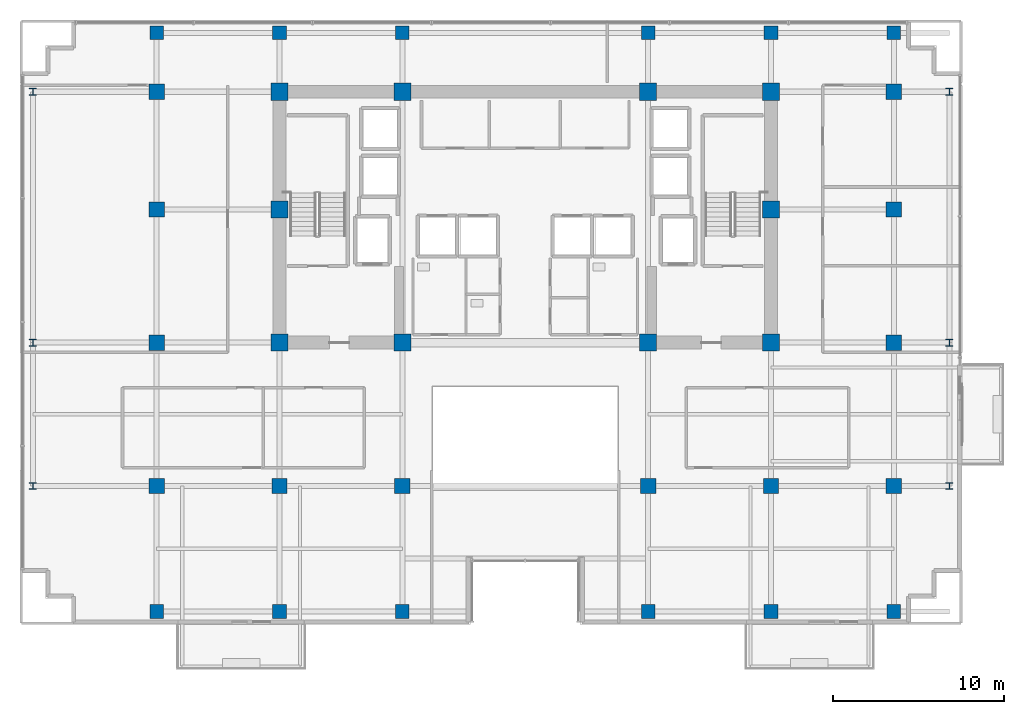
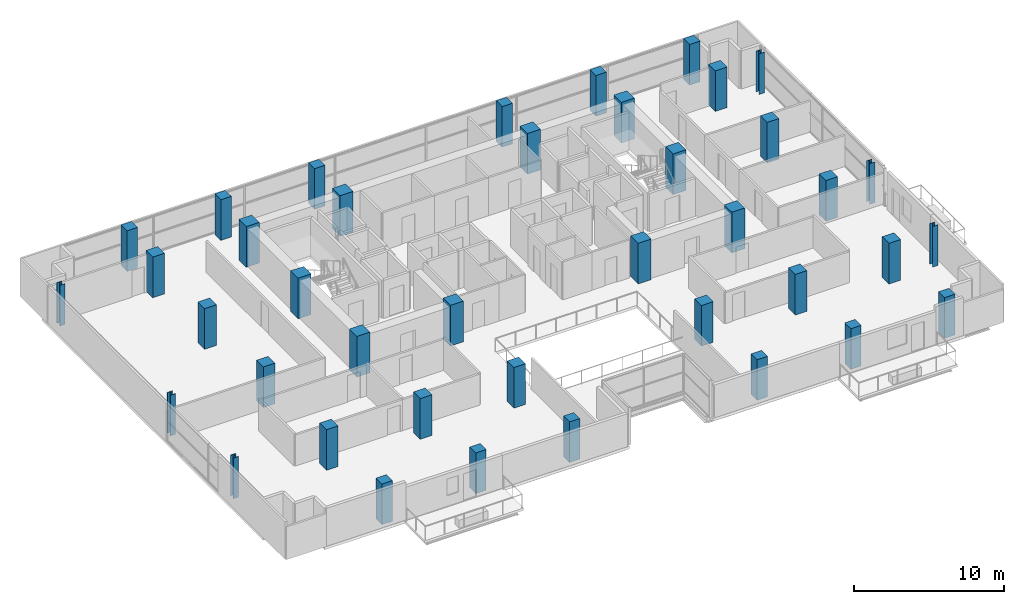
# One storey, part 1 of 25: 40 columns.
"""IFC4 building model written with IfcOpenShell, lengths in metres."""

from ifc_helpers import new_model, si_unit, direction, frame, origin, origin_2d, place, context, subcontext, project, spatial, rectangle, i_section, extrude, material, material_profile, profile_set, type_object, element, save


model = new_model("IFC4")

# Units and contexts
model_context = context("Model", 3, precision=1e-05, world=origin(), true_north=direction((0.0, 1.0)))
body_context = subcontext(model_context, "Body", "Model", "MODEL_VIEW")
ifc_project = project(units=[si_unit("LENGTHUNIT", "METRE"), si_unit("AREAUNIT", "SQUARE_METRE"), si_unit("VOLUMEUNIT", "CUBIC_METRE"), si_unit("PLANEANGLEUNIT", "RADIAN"), si_unit("MASSUNIT", "GRAM", prefix="KILO")], contexts=[model_context])

# Site, building, storey
site_placement = place(None, origin())
site = spatial("IfcSite", under=ifc_project, at=site_placement, CompositionType="ELEMENT")
building_placement = place(site_placement, origin())
building = spatial("IfcBuilding", under=site, at=building_placement, Name="Zarnakvel Exchange Tower", CompositionType="ELEMENT")
storey_placement = place(building_placement, frame((0.0, 0.0, 93.39990234375)))
storey = spatial("IfcBuildingStorey", under=building, at=storey_placement, Name="L25", CompositionType="ELEMENT", Elevation=93.39990234375)

# Columns
ifc_material_1 = material(Name="Concrete C60/75", Category="concrete")
ifc_material_profile_1 = material_profile(ifc_material_1, rectangle(XDim=1.0, YDim=1.0, at=origin_2d()))
ifc_profile_set_1 = profile_set([ifc_material_profile_1], Name="Concrete C60/75")
column_type_1 = type_object("IfcColumnType", Name="CC-02", PredefinedType="COLUMN", material=ifc_profile_set_1)
for number, where, z_axis, x_axis, name in (
    (1, (-14.39990234375, -1.199951171875, 0.0), (0.0, 0.0, 1.0), (1.0, 0.0, 0.0), "L25 Column C-4D (CC-02)"),
    (2, (-7.199951171875, -1.199951171875, 0.0), (0.0, 0.0, 1.0), (1.0, 0.0, 0.0), "L25 Column C-5D (CC-02)"),
    (3, (7.199951171875, -1.199951171875, 0.0), (0.0, 0.0, 1.0), (1.0, 0.0, 0.0), "L25 Column C-8D (CC-02)"),
    (4, (14.39990234375, -1.199951171875, 0.0), (0.0, 0.0, 1.0), (1.0, 0.0, 0.0), "L25 Column C-9D (CC-02)"),
    (5, (-14.39990234375, 6.60009765625, 0.0), (0.0, 0.0, 1.0), (1.0, 0.0, 0.0), "L25 Column C-4E (CC-02)"),
    (6, (14.39990234375, 6.60009765625, 0.0), (0.0, 0.0, 1.0), (1.0, 0.0, 0.0), "L25 Column C-9E (CC-02)"),
    (7, (-14.39990234375, 13.5, 0.0), (0.0, 0.0, 1.0), (1.0, 0.0, 0.0), "L25 Column C-4F (CC-02)"),
    (8, (-7.199951171875, 13.5, 0.0), (0.0, 0.0, 1.0), (1.0, 0.0, 0.0), "L25 Column C-5F (CC-02)"),
    (9, (7.199951171875, 13.5, 0.0), (0.0, 0.0, 1.0), (1.0, 0.0, 0.0), "L25 Column C-8F (CC-02)"),
    (10, (14.39990234375, 13.5, 0.0), (0.0, 0.0, 1.0), (1.0, 0.0, 0.0), "L25 Column C-9F (CC-02)"),
):
    element("IfcColumn", number, at=place(storey_placement, frame(where, z_axis=z_axis, x_axis=x_axis)), inside=storey, type_object=column_type_1, Name=name, PredefinedType="COLUMN", context=body_context, shape_type="SweptSolid", body=[
        extrude(rectangle(XDim=1.0, YDim=1.0, at=origin_2d()), origin(), (0.0, 0.0, 1.0), 3.300048828125),
    ])
ifc_material_2 = material(Name="Steel S355", Category="steel")
ifc_material_profile_2 = material_profile(ifc_material_2, i_section(OverallWidth=0.404052734375, OverallDepth=0.406982421875, WebThickness=0.0224609375, FlangeThickness=0.031982421875, FilletRadius=0.014892578125, at=origin_2d()))
ifc_profile_set_2 = profile_set([ifc_material_profile_2], Name="Steel S355")
column_type_2 = type_object("IfcColumnType", Name="SC-02", PredefinedType="COLUMN", material=ifc_profile_set_2)
for number, where, z_axis, x_axis, name in (
    (11, (-28.85009765625, -9.60009765625, 0.0), (0.0, 0.0, 1.0), (1.0, 0.0, 0.0), "L25 Column TW-C (SC-02)"),
    (12, (24.85009765625, -9.60009765625, 0.0), (0.0, 0.0, 1.0), (1.0, 0.0, 0.0), "L25 Column TE-C (SC-02)"),
    (13, (-28.85009765625, -1.199951171875, 0.0), (0.0, 0.0, 1.0), (1.0, 0.0, 0.0), "L25 Column TW-D (SC-02)"),
    (14, (24.85009765625, -1.199951171875, 0.0), (0.0, 0.0, 1.0), (1.0, 0.0, 0.0), "L25 Column TE-D (SC-02)"),
    (15, (-28.85009765625, 13.5, 0.0), (0.0, 0.0, 1.0), (1.0, 0.0, 0.0), "L25 Column TW-F (SC-02)"),
    (16, (24.85009765625, 13.5, 0.0), (0.0, 0.0, 1.0), (1.0, 0.0, 0.0), "L25 Column TE-F (SC-02)"),
):
    element("IfcColumn", number, at=place(storey_placement, frame(where, z_axis=z_axis, x_axis=x_axis)), inside=storey, type_object=column_type_2, Name=name, PredefinedType="COLUMN", context=body_context, shape_type="SweptSolid", body=[
        extrude(i_section(OverallWidth=0.404052734375, OverallDepth=0.406982421875, WebThickness=0.0224609375, FlangeThickness=0.031982421875, FilletRadius=0.014892578125, at=origin_2d()), origin(), (0.0, 0.0, 1.0), 3.300048828125),
    ])
ifc_material_profile_3 = material_profile(ifc_material_1, rectangle(XDim=0.89990234375, YDim=0.89990234375, at=origin_2d()))
ifc_profile_set_3 = profile_set([ifc_material_profile_3], Name="Concrete C60/75")
column_type_3 = type_object("IfcColumnType", Name="TC-02", PredefinedType="COLUMN", material=ifc_profile_set_3)
for number, where, z_axis, x_axis, name in (
    (17, (-14.39990234375, -9.60009765625, 0.0), (0.0, 0.0, 1.0), (1.0, 0.0, 0.0), "L25 Column T-4C (TC-02)"),
    (18, (-7.199951171875, -9.60009765625, 0.0), (0.0, 0.0, 1.0), (1.0, 0.0, 0.0), "L25 Column T-5C (TC-02)"),
    (19, (7.199951171875, -9.60009765625, 0.0), (0.0, 0.0, 1.0), (1.0, 0.0, 0.0), "L25 Column T-8C (TC-02)"),
    (20, (14.39990234375, -9.60009765625, 0.0), (0.0, 0.0, 1.0), (1.0, 0.0, 0.0), "L25 Column T-9C (TC-02)"),
    (21, (-21.60009765625, -9.60009765625, 0.0), (0.0, 0.0, 1.0), (1.0, 0.0, 0.0), "L25 Column T-3C (TC-02)"),
    (22, (-21.60009765625, -1.199951171875, 0.0), (0.0, 0.0, 1.0), (1.0, 0.0, 0.0), "L25 Column T-3D (TC-02)"),
    (23, (-21.60009765625, 6.60009765625, 0.0), (0.0, 0.0, 1.0), (1.0, 0.0, 0.0), "L25 Column T-3E (TC-02)"),
    (24, (-21.60009765625, 13.5, 0.0), (0.0, 0.0, 1.0), (1.0, 0.0, 0.0), "L25 Column T-3F (TC-02)"),
    (25, (21.60009765625, -9.60009765625, 0.0), (0.0, 0.0, 1.0), (1.0, 0.0, 0.0), "L25 Column T-10C (TC-02)"),
    (26, (21.60009765625, -1.199951171875, 0.0), (0.0, 0.0, 1.0), (1.0, 0.0, 0.0), "L25 Column T-10D (TC-02)"),
    (27, (21.60009765625, 6.60009765625, 0.0), (0.0, 0.0, 1.0), (1.0, 0.0, 0.0), "L25 Column T-10E (TC-02)"),
    (28, (21.60009765625, 13.5, 0.0), (0.0, 0.0, 1.0), (1.0, 0.0, 0.0), "L25 Column T-10F (TC-02)"),
):
    element("IfcColumn", number, at=place(storey_placement, frame(where, z_axis=z_axis, x_axis=x_axis)), inside=storey, type_object=column_type_3, Name=name, PredefinedType="COLUMN", context=body_context, shape_type="SweptSolid", body=[
        extrude(rectangle(XDim=0.89990234375, YDim=0.89990234375, at=origin_2d()), origin(), (0.0, 0.0, 1.0), 3.300048828125),
    ])
ifc_material_profile_4 = material_profile(ifc_material_1, rectangle(XDim=0.800048828125, YDim=0.800048828125, at=origin_2d()))
ifc_profile_set_4 = profile_set([ifc_material_profile_4], Name="Concrete C60/75")
column_type_4 = type_object("IfcColumnType", Name="TC-03", PredefinedType="COLUMN", material=ifc_profile_set_4)
for number, where, z_axis, x_axis, name in (
    (29, (-14.39990234375, -16.949951171875, 0.0), (0.0, 0.0, 1.0), (1.0, 0.0, 0.0), "L25 Column TS-4 (TC-03)"),
    (30, (-14.39990234375, 16.949951171875, 0.0), (0.0, 0.0, 1.0), (1.0, 0.0, 0.0), "L25 Column TN-4 (TC-03)"),
    (31, (-7.199951171875, -16.949951171875, 0.0), (0.0, 0.0, 1.0), (1.0, 0.0, 0.0), "L25 Column TS-5 (TC-03)"),
    (32, (-7.199951171875, 16.949951171875, 0.0), (0.0, 0.0, 1.0), (1.0, 0.0, 0.0), "L25 Column TN-5 (TC-03)"),
    (33, (7.199951171875, -16.949951171875, 0.0), (0.0, 0.0, 1.0), (1.0, 0.0, 0.0), "L25 Column TS-8 (TC-03)"),
    (34, (7.199951171875, 16.949951171875, 0.0), (0.0, 0.0, 1.0), (1.0, 0.0, 0.0), "L25 Column TN-8 (TC-03)"),
    (35, (14.39990234375, -16.949951171875, 0.0), (0.0, 0.0, 1.0), (1.0, 0.0, 0.0), "L25 Column TS-9 (TC-03)"),
    (36, (14.39990234375, 16.949951171875, 0.0), (0.0, 0.0, 1.0), (1.0, 0.0, 0.0), "L25 Column TN-9 (TC-03)"),
    (37, (-21.60009765625, -16.949951171875, 0.0), (0.0, 0.0, 1.0), (1.0, 0.0, 0.0), "L25 Column TS-3 (TC-03)"),
    (38, (-21.60009765625, 16.949951171875, 0.0), (0.0, 0.0, 1.0), (1.0, 0.0, 0.0), "L25 Column TN-3 (TC-03)"),
    (39, (21.60009765625, -16.949951171875, 0.0), (0.0, 0.0, 1.0), (1.0, 0.0, 0.0), "L25 Column TS-10 (TC-03)"),
    (40, (21.60009765625, 16.949951171875, 0.0), (0.0, 0.0, 1.0), (1.0, 0.0, 0.0), "L25 Column TN-10 (TC-03)"),
):
    element("IfcColumn", number, at=place(storey_placement, frame(where, z_axis=z_axis, x_axis=x_axis)), inside=storey, type_object=column_type_4, Name=name, PredefinedType="COLUMN", context=body_context, shape_type="SweptSolid", body=[
        extrude(rectangle(XDim=0.800048828125, YDim=0.800048828125, at=origin_2d()), origin(), (0.0, 0.0, 1.0), 3.300048828125),
    ])

save(model, "model.ifc")
